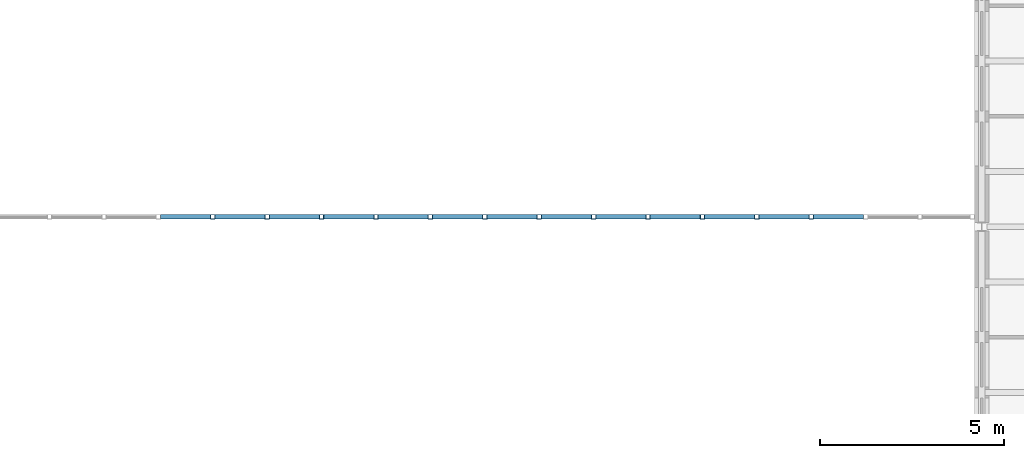
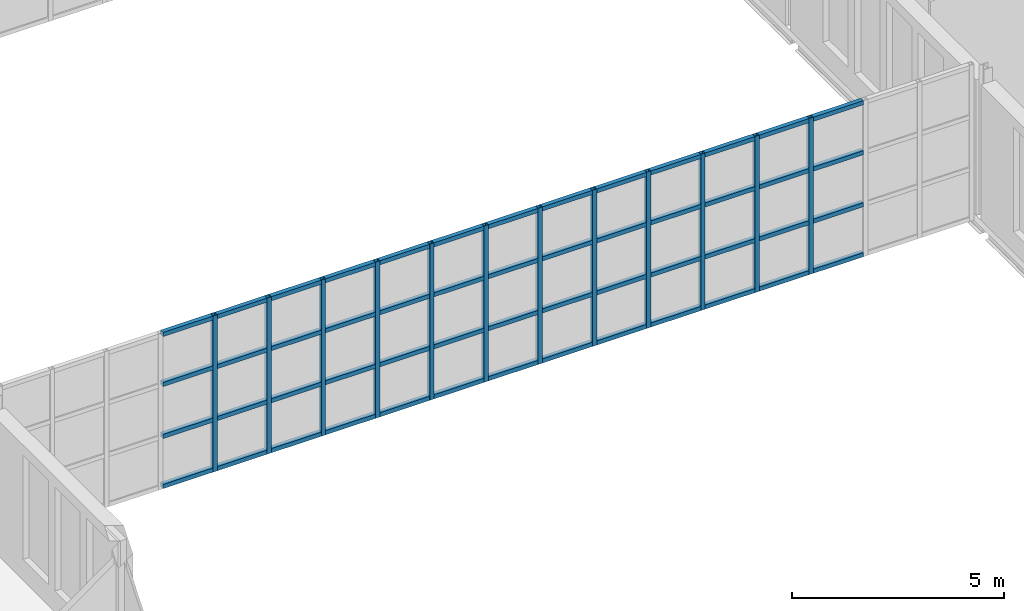
# One storey, part 37 of 131: 64 members, 1 element without a shape of its own.
"""IFC4 building model written with IfcOpenShell, lengths in metres."""

from ifc_helpers import new_model, si_unit, direction, frame, origin, origin_2d, place, context, subcontext, project, spatial, hollow_rectangle, extrude, material, material_profile, profile_set, type_object, element, aggregate, save


model = new_model("IFC4")

# Units and contexts
model_context = context("Model", 3, precision=1e-05, world=origin(), true_north=direction((0.0, 1.0)))
body_context = subcontext(model_context, "Body", "Model", "MODEL_VIEW")
ifc_project = project(units=[si_unit("LENGTHUNIT", "METRE"), si_unit("AREAUNIT", "SQUARE_METRE"), si_unit("VOLUMEUNIT", "CUBIC_METRE"), si_unit("PLANEANGLEUNIT", "RADIAN"), si_unit("MASSUNIT", "GRAM", prefix="KILO")], contexts=[model_context])

# Site, building, storey
site_placement = place(None, origin())
site = spatial("IfcSite", under=ifc_project, at=site_placement, CompositionType="ELEMENT")
building_placement = place(site_placement, origin())
building = spatial("IfcBuilding", under=site, at=building_placement, Name="Golden Quay Civic Hall", CompositionType="ELEMENT")
storey_placement = place(building_placement, frame((0.0, 0.0, 9.89990234375)))
storey = spatial("IfcBuildingStorey", under=building, at=storey_placement, Name="L02", CompositionType="ELEMENT", Elevation=9.89990234375)

# Curtain wall, members
ifc_material_1 = material(Name="Fire-resisting glass and steel", Category="steel")
curtain_wall_type = type_object("IfcCurtainWallType", Name="Fire-resisting glazed curtain wall EI 120", PredefinedType="NOTDEFINED", material=ifc_material_1)
curtain_wall_placement = place(storey_placement, origin())
curtain_wall = element("IfcCurtainWall", 1, at=curtain_wall_placement, inside=storey, type_object=curtain_wall_type, Name="CW3 curtain wall", PredefinedType="NOTDEFINED")
ifc_material_2 = material(Name="Steel S355", Category="steel")
ifc_material_profile_1 = material_profile(ifc_material_2, hollow_rectangle(XDim=0.1201171875, YDim=0.1201171875, WallThickness=0.008056640625, at=origin_2d()), Name="SHS 120x120x8")
ifc_profile_set_1 = profile_set([ifc_material_profile_1], Name="Steel S355")
member_type_1 = type_object("IfcMemberType", Name="Fire-resisting steel mullion SHS 120x120x8", PredefinedType="MULLION", material=ifc_profile_set_1)
member_1_placement = place(storey_placement, frame((78.111083984375, 36.27001953125, -0.199951171875), z_axis=(0.0, 0.0, 1.0), x_axis=(0.0, 1.0, 0.0)))
member_1 = element("IfcMember", 2, at=member_1_placement, type_object=member_type_1, Name="CW3 mullion 5", PredefinedType="MULLION", context=body_context, shape_type="SweptSolid", body=[
    extrude(hollow_rectangle(XDim=0.1201171875, YDim=0.1201171875, WallThickness=0.008056640625, at=origin_2d()), origin(), (0.0, 0.0, 1.0), 4.5),
])
member_2_placement = place(storey_placement, frame((79.5888671875, 36.27001953125, -0.199951171875), z_axis=(0.0, 0.0, 1.0), x_axis=(0.0, 1.0, 0.0)))
member_2 = element("IfcMember", 3, at=member_2_placement, type_object=member_type_1, Name="CW3 mullion 6", PredefinedType="MULLION", context=body_context, shape_type="SweptSolid", body=[
    extrude(hollow_rectangle(XDim=0.1201171875, YDim=0.1201171875, WallThickness=0.008056640625, at=origin_2d()), origin(), (0.0, 0.0, 1.0), 4.5),
])
member_3_placement = place(storey_placement, frame((81.066650390625, 36.27001953125, -0.199951171875), z_axis=(0.0, 0.0, 1.0), x_axis=(0.0, 1.0, 0.0)))
member_3 = element("IfcMember", 4, at=member_3_placement, type_object=member_type_1, Name="CW3 mullion 7", PredefinedType="MULLION", context=body_context, shape_type="SweptSolid", body=[
    extrude(hollow_rectangle(XDim=0.1201171875, YDim=0.1201171875, WallThickness=0.008056640625, at=origin_2d()), origin(), (0.0, 0.0, 1.0), 4.5),
])
member_4_placement = place(storey_placement, frame((82.54443359375, 36.27001953125, -0.199951171875), z_axis=(0.0, 0.0, 1.0), x_axis=(0.0, 1.0, 0.0)))
member_4 = element("IfcMember", 5, at=member_4_placement, type_object=member_type_1, Name="CW3 mullion 8", PredefinedType="MULLION", context=body_context, shape_type="SweptSolid", body=[
    extrude(hollow_rectangle(XDim=0.1201171875, YDim=0.1201171875, WallThickness=0.008056640625, at=origin_2d()), origin(), (0.0, 0.0, 1.0), 4.5),
])
member_5_placement = place(storey_placement, frame((84.022216796875, 36.27001953125, -0.199951171875), z_axis=(0.0, 0.0, 1.0), x_axis=(0.0, 1.0, 0.0)))
member_5 = element("IfcMember", 6, at=member_5_placement, type_object=member_type_1, Name="CW3 mullion 9", PredefinedType="MULLION", context=body_context, shape_type="SweptSolid", body=[
    extrude(hollow_rectangle(XDim=0.1201171875, YDim=0.1201171875, WallThickness=0.008056640625, at=origin_2d()), origin(), (0.0, 0.0, 1.0), 4.5),
])
member_6_placement = place(storey_placement, frame((85.5, 36.27001953125, -0.199951171875), z_axis=(0.0, 0.0, 1.0), x_axis=(0.0, 1.0, 0.0)))
member_6 = element("IfcMember", 7, at=member_6_placement, type_object=member_type_1, Name="CW3 mullion 10", PredefinedType="MULLION", context=body_context, shape_type="SweptSolid", body=[
    extrude(hollow_rectangle(XDim=0.1201171875, YDim=0.1201171875, WallThickness=0.008056640625, at=origin_2d()), origin(), (0.0, 0.0, 1.0), 4.5),
])
member_7_placement = place(storey_placement, frame((86.977783203125, 36.27001953125, -0.199951171875), z_axis=(0.0, 0.0, 1.0), x_axis=(0.0, 1.0, 0.0)))
member_7 = element("IfcMember", 8, at=member_7_placement, type_object=member_type_1, Name="CW3 mullion 11", PredefinedType="MULLION", context=body_context, shape_type="SweptSolid", body=[
    extrude(hollow_rectangle(XDim=0.1201171875, YDim=0.1201171875, WallThickness=0.008056640625, at=origin_2d()), origin(), (0.0, 0.0, 1.0), 4.5),
])
member_8_placement = place(storey_placement, frame((88.45556640625, 36.27001953125, -0.199951171875), z_axis=(0.0, 0.0, 1.0), x_axis=(0.0, 1.0, 0.0)))
member_8 = element("IfcMember", 9, at=member_8_placement, type_object=member_type_1, Name="CW3 mullion 12", PredefinedType="MULLION", context=body_context, shape_type="SweptSolid", body=[
    extrude(hollow_rectangle(XDim=0.1201171875, YDim=0.1201171875, WallThickness=0.008056640625, at=origin_2d()), origin(), (0.0, 0.0, 1.0), 4.5),
])
member_9_placement = place(storey_placement, frame((89.933349609375, 36.27001953125, -0.199951171875), z_axis=(0.0, 0.0, 1.0), x_axis=(0.0, 1.0, 0.0)))
member_9 = element("IfcMember", 10, at=member_9_placement, type_object=member_type_1, Name="CW3 mullion 13", PredefinedType="MULLION", context=body_context, shape_type="SweptSolid", body=[
    extrude(hollow_rectangle(XDim=0.1201171875, YDim=0.1201171875, WallThickness=0.008056640625, at=origin_2d()), origin(), (0.0, 0.0, 1.0), 4.5),
])
member_10_placement = place(storey_placement, frame((91.4111328125, 36.27001953125, -0.199951171875), z_axis=(0.0, 0.0, 1.0), x_axis=(0.0, 1.0, 0.0)))
member_10 = element("IfcMember", 11, at=member_10_placement, type_object=member_type_1, Name="CW3 mullion 14", PredefinedType="MULLION", context=body_context, shape_type="SweptSolid", body=[
    extrude(hollow_rectangle(XDim=0.1201171875, YDim=0.1201171875, WallThickness=0.008056640625, at=origin_2d()), origin(), (0.0, 0.0, 1.0), 4.5),
])
member_11_placement = place(storey_placement, frame((92.888916015625, 36.27001953125, -0.199951171875), z_axis=(0.0, 0.0, 1.0), x_axis=(0.0, 1.0, 0.0)))
member_11 = element("IfcMember", 12, at=member_11_placement, type_object=member_type_1, Name="CW3 mullion 15", PredefinedType="MULLION", context=body_context, shape_type="SweptSolid", body=[
    extrude(hollow_rectangle(XDim=0.1201171875, YDim=0.1201171875, WallThickness=0.008056640625, at=origin_2d()), origin(), (0.0, 0.0, 1.0), 4.5),
])
member_12_placement = place(storey_placement, frame((94.36669921875, 36.27001953125, -0.199951171875), z_axis=(0.0, 0.0, 1.0), x_axis=(0.0, 1.0, 0.0)))
member_12 = element("IfcMember", 13, at=member_12_placement, type_object=member_type_1, Name="CW3 mullion 16", PredefinedType="MULLION", context=body_context, shape_type="SweptSolid", body=[
    extrude(hollow_rectangle(XDim=0.1201171875, YDim=0.1201171875, WallThickness=0.008056640625, at=origin_2d()), origin(), (0.0, 0.0, 1.0), 4.5),
])
ifc_material_3 = material(Name="Steel S355", Category="steel")
ifc_material_profile_2 = material_profile(ifc_material_3, hollow_rectangle(XDim=0.1201171875, YDim=0.1201171875, WallThickness=0.008056640625, at=origin_2d()), Name="SHS 120x120x8")
ifc_profile_set_2 = profile_set([ifc_material_profile_2], Name="Steel S355")
member_type_2 = type_object("IfcMemberType", Name="Fire-resisting steel transom SHS 120x120x8", PredefinedType="USERDEFINED", material=ifc_profile_set_2)
member_13_placement = place(storey_placement, frame((76.693359375, 36.27001953125, -0.139892578125), z_axis=(1.0, 0.0, 0.0), x_axis=(0.0, 1.0, 0.0)))
member_13 = element("IfcMember", 14, at=member_13_placement, type_object=member_type_2, Name="CW3 transom 4.1", ObjectType="TRANSOM", PredefinedType="USERDEFINED", context=body_context, shape_type="SweptSolid", body=[
    extrude(hollow_rectangle(XDim=0.1201171875, YDim=0.1201171875, WallThickness=0.008056640625, at=origin_2d()), origin(), (0.0, 0.0, 1.0), 1.357666015625),
])
member_14_placement = place(storey_placement, frame((76.693359375, 36.27001953125, 1.300048828125), z_axis=(1.0, 0.0, 0.0), x_axis=(0.0, 1.0, 0.0)))
member_14 = element("IfcMember", 15, at=member_14_placement, type_object=member_type_2, Name="CW3 transom 4.2", ObjectType="TRANSOM", PredefinedType="USERDEFINED", context=body_context, shape_type="SweptSolid", body=[
    extrude(hollow_rectangle(XDim=0.1201171875, YDim=0.1201171875, WallThickness=0.008056640625, at=origin_2d()), origin(), (0.0, 0.0, 1.0), 1.357666015625),
])
member_15_placement = place(storey_placement, frame((76.693359375, 36.27001953125, 2.800048828125), z_axis=(1.0, 0.0, 0.0), x_axis=(0.0, 1.0, 0.0)))
member_15 = element("IfcMember", 16, at=member_15_placement, type_object=member_type_2, Name="CW3 transom 4.3", ObjectType="TRANSOM", PredefinedType="USERDEFINED", context=body_context, shape_type="SweptSolid", body=[
    extrude(hollow_rectangle(XDim=0.1201171875, YDim=0.1201171875, WallThickness=0.008056640625, at=origin_2d()), origin(), (0.0, 0.0, 1.0), 1.357666015625),
])
member_16_placement = place(storey_placement, frame((76.693359375, 36.27001953125, 4.239990234375), z_axis=(1.0, 0.0, 0.0), x_axis=(0.0, 1.0, 0.0)))
member_16 = element("IfcMember", 17, at=member_16_placement, type_object=member_type_2, Name="CW3 transom 4.4", ObjectType="TRANSOM", PredefinedType="USERDEFINED", context=body_context, shape_type="SweptSolid", body=[
    extrude(hollow_rectangle(XDim=0.1201171875, YDim=0.1201171875, WallThickness=0.008056640625, at=origin_2d()), origin(), (0.0, 0.0, 1.0), 1.357666015625),
])
member_17_placement = place(storey_placement, frame((78.171142578125, 36.27001953125, -0.139892578125), z_axis=(1.0, 0.0, 0.0), x_axis=(0.0, 1.0, 0.0)))
member_17 = element("IfcMember", 18, at=member_17_placement, type_object=member_type_2, Name="CW3 transom 5.1", ObjectType="TRANSOM", PredefinedType="USERDEFINED", context=body_context, shape_type="SweptSolid", body=[
    extrude(hollow_rectangle(XDim=0.1201171875, YDim=0.1201171875, WallThickness=0.008056640625, at=origin_2d()), origin(), (0.0, 0.0, 1.0), 1.357666015625),
])
member_18_placement = place(storey_placement, frame((78.171142578125, 36.27001953125, 1.300048828125), z_axis=(1.0, 0.0, 0.0), x_axis=(0.0, 1.0, 0.0)))
member_18 = element("IfcMember", 19, at=member_18_placement, type_object=member_type_2, Name="CW3 transom 5.2", ObjectType="TRANSOM", PredefinedType="USERDEFINED", context=body_context, shape_type="SweptSolid", body=[
    extrude(hollow_rectangle(XDim=0.1201171875, YDim=0.1201171875, WallThickness=0.008056640625, at=origin_2d()), origin(), (0.0, 0.0, 1.0), 1.357666015625),
])
member_19_placement = place(storey_placement, frame((78.171142578125, 36.27001953125, 2.800048828125), z_axis=(1.0, 0.0, 0.0), x_axis=(0.0, 1.0, 0.0)))
member_19 = element("IfcMember", 20, at=member_19_placement, type_object=member_type_2, Name="CW3 transom 5.3", ObjectType="TRANSOM", PredefinedType="USERDEFINED", context=body_context, shape_type="SweptSolid", body=[
    extrude(hollow_rectangle(XDim=0.1201171875, YDim=0.1201171875, WallThickness=0.008056640625, at=origin_2d()), origin(), (0.0, 0.0, 1.0), 1.357666015625),
])
member_20_placement = place(storey_placement, frame((78.171142578125, 36.27001953125, 4.239990234375), z_axis=(1.0, 0.0, 0.0), x_axis=(0.0, 1.0, 0.0)))
member_20 = element("IfcMember", 21, at=member_20_placement, type_object=member_type_2, Name="CW3 transom 5.4", ObjectType="TRANSOM", PredefinedType="USERDEFINED", context=body_context, shape_type="SweptSolid", body=[
    extrude(hollow_rectangle(XDim=0.1201171875, YDim=0.1201171875, WallThickness=0.008056640625, at=origin_2d()), origin(), (0.0, 0.0, 1.0), 1.357666015625),
])
member_21_placement = place(storey_placement, frame((79.64892578125, 36.27001953125, -0.139892578125), z_axis=(1.0, 0.0, 0.0), x_axis=(0.0, 1.0, 0.0)))
member_21 = element("IfcMember", 22, at=member_21_placement, type_object=member_type_2, Name="CW3 transom 6.1", ObjectType="TRANSOM", PredefinedType="USERDEFINED", context=body_context, shape_type="SweptSolid", body=[
    extrude(hollow_rectangle(XDim=0.1201171875, YDim=0.1201171875, WallThickness=0.008056640625, at=origin_2d()), origin(), (0.0, 0.0, 1.0), 1.357666015625),
])
member_22_placement = place(storey_placement, frame((79.64892578125, 36.27001953125, 1.300048828125), z_axis=(1.0, 0.0, 0.0), x_axis=(0.0, 1.0, 0.0)))
member_22 = element("IfcMember", 23, at=member_22_placement, type_object=member_type_2, Name="CW3 transom 6.2", ObjectType="TRANSOM", PredefinedType="USERDEFINED", context=body_context, shape_type="SweptSolid", body=[
    extrude(hollow_rectangle(XDim=0.1201171875, YDim=0.1201171875, WallThickness=0.008056640625, at=origin_2d()), origin(), (0.0, 0.0, 1.0), 1.357666015625),
])
member_23_placement = place(storey_placement, frame((79.64892578125, 36.27001953125, 2.800048828125), z_axis=(1.0, 0.0, 0.0), x_axis=(0.0, 1.0, 0.0)))
member_23 = element("IfcMember", 24, at=member_23_placement, type_object=member_type_2, Name="CW3 transom 6.3", ObjectType="TRANSOM", PredefinedType="USERDEFINED", context=body_context, shape_type="SweptSolid", body=[
    extrude(hollow_rectangle(XDim=0.1201171875, YDim=0.1201171875, WallThickness=0.008056640625, at=origin_2d()), origin(), (0.0, 0.0, 1.0), 1.357666015625),
])
member_24_placement = place(storey_placement, frame((79.64892578125, 36.27001953125, 4.239990234375), z_axis=(1.0, 0.0, 0.0), x_axis=(0.0, 1.0, 0.0)))
member_24 = element("IfcMember", 25, at=member_24_placement, type_object=member_type_2, Name="CW3 transom 6.4", ObjectType="TRANSOM", PredefinedType="USERDEFINED", context=body_context, shape_type="SweptSolid", body=[
    extrude(hollow_rectangle(XDim=0.1201171875, YDim=0.1201171875, WallThickness=0.008056640625, at=origin_2d()), origin(), (0.0, 0.0, 1.0), 1.357666015625),
])
member_25_placement = place(storey_placement, frame((81.126708984375, 36.27001953125, -0.139892578125), z_axis=(1.0, 0.0, 0.0), x_axis=(0.0, 1.0, 0.0)))
member_25 = element("IfcMember", 26, at=member_25_placement, type_object=member_type_2, Name="CW3 transom 7.1", ObjectType="TRANSOM", PredefinedType="USERDEFINED", context=body_context, shape_type="SweptSolid", body=[
    extrude(hollow_rectangle(XDim=0.1201171875, YDim=0.1201171875, WallThickness=0.008056640625, at=origin_2d()), origin(), (0.0, 0.0, 1.0), 1.357666015625),
])
member_26_placement = place(storey_placement, frame((81.126708984375, 36.27001953125, 1.300048828125), z_axis=(1.0, 0.0, 0.0), x_axis=(0.0, 1.0, 0.0)))
member_26 = element("IfcMember", 27, at=member_26_placement, type_object=member_type_2, Name="CW3 transom 7.2", ObjectType="TRANSOM", PredefinedType="USERDEFINED", context=body_context, shape_type="SweptSolid", body=[
    extrude(hollow_rectangle(XDim=0.1201171875, YDim=0.1201171875, WallThickness=0.008056640625, at=origin_2d()), origin(), (0.0, 0.0, 1.0), 1.357666015625),
])
member_27_placement = place(storey_placement, frame((81.126708984375, 36.27001953125, 2.800048828125), z_axis=(1.0, 0.0, 0.0), x_axis=(0.0, 1.0, 0.0)))
member_27 = element("IfcMember", 28, at=member_27_placement, type_object=member_type_2, Name="CW3 transom 7.3", ObjectType="TRANSOM", PredefinedType="USERDEFINED", context=body_context, shape_type="SweptSolid", body=[
    extrude(hollow_rectangle(XDim=0.1201171875, YDim=0.1201171875, WallThickness=0.008056640625, at=origin_2d()), origin(), (0.0, 0.0, 1.0), 1.357666015625),
])
member_28_placement = place(storey_placement, frame((81.126708984375, 36.27001953125, 4.239990234375), z_axis=(1.0, 0.0, 0.0), x_axis=(0.0, 1.0, 0.0)))
member_28 = element("IfcMember", 29, at=member_28_placement, type_object=member_type_2, Name="CW3 transom 7.4", ObjectType="TRANSOM", PredefinedType="USERDEFINED", context=body_context, shape_type="SweptSolid", body=[
    extrude(hollow_rectangle(XDim=0.1201171875, YDim=0.1201171875, WallThickness=0.008056640625, at=origin_2d()), origin(), (0.0, 0.0, 1.0), 1.357666015625),
])
member_29_placement = place(storey_placement, frame((82.6044921875, 36.27001953125, -0.139892578125), z_axis=(1.0, 0.0, 0.0), x_axis=(0.0, 1.0, 0.0)))
member_29 = element("IfcMember", 30, at=member_29_placement, type_object=member_type_2, Name="CW3 transom 8.1", ObjectType="TRANSOM", PredefinedType="USERDEFINED", context=body_context, shape_type="SweptSolid", body=[
    extrude(hollow_rectangle(XDim=0.1201171875, YDim=0.1201171875, WallThickness=0.008056640625, at=origin_2d()), origin(), (0.0, 0.0, 1.0), 1.357666015625),
])
member_30_placement = place(storey_placement, frame((82.6044921875, 36.27001953125, 1.300048828125), z_axis=(1.0, 0.0, 0.0), x_axis=(0.0, 1.0, 0.0)))
member_30 = element("IfcMember", 31, at=member_30_placement, type_object=member_type_2, Name="CW3 transom 8.2", ObjectType="TRANSOM", PredefinedType="USERDEFINED", context=body_context, shape_type="SweptSolid", body=[
    extrude(hollow_rectangle(XDim=0.1201171875, YDim=0.1201171875, WallThickness=0.008056640625, at=origin_2d()), origin(), (0.0, 0.0, 1.0), 1.357666015625),
])
member_31_placement = place(storey_placement, frame((82.6044921875, 36.27001953125, 2.800048828125), z_axis=(1.0, 0.0, 0.0), x_axis=(0.0, 1.0, 0.0)))
member_31 = element("IfcMember", 32, at=member_31_placement, type_object=member_type_2, Name="CW3 transom 8.3", ObjectType="TRANSOM", PredefinedType="USERDEFINED", context=body_context, shape_type="SweptSolid", body=[
    extrude(hollow_rectangle(XDim=0.1201171875, YDim=0.1201171875, WallThickness=0.008056640625, at=origin_2d()), origin(), (0.0, 0.0, 1.0), 1.357666015625),
])
member_32_placement = place(storey_placement, frame((82.6044921875, 36.27001953125, 4.239990234375), z_axis=(1.0, 0.0, 0.0), x_axis=(0.0, 1.0, 0.0)))
member_32 = element("IfcMember", 33, at=member_32_placement, type_object=member_type_2, Name="CW3 transom 8.4", ObjectType="TRANSOM", PredefinedType="USERDEFINED", context=body_context, shape_type="SweptSolid", body=[
    extrude(hollow_rectangle(XDim=0.1201171875, YDim=0.1201171875, WallThickness=0.008056640625, at=origin_2d()), origin(), (0.0, 0.0, 1.0), 1.357666015625),
])
member_33_placement = place(storey_placement, frame((84.082275390625, 36.27001953125, -0.139892578125), z_axis=(1.0, 0.0, 0.0), x_axis=(0.0, 1.0, 0.0)))
member_33 = element("IfcMember", 34, at=member_33_placement, type_object=member_type_2, Name="CW3 transom 9.1", ObjectType="TRANSOM", PredefinedType="USERDEFINED", context=body_context, shape_type="SweptSolid", body=[
    extrude(hollow_rectangle(XDim=0.1201171875, YDim=0.1201171875, WallThickness=0.008056640625, at=origin_2d()), origin(), (0.0, 0.0, 1.0), 1.357666015625),
])
member_34_placement = place(storey_placement, frame((84.082275390625, 36.27001953125, 1.300048828125), z_axis=(1.0, 0.0, 0.0), x_axis=(0.0, 1.0, 0.0)))
member_34 = element("IfcMember", 35, at=member_34_placement, type_object=member_type_2, Name="CW3 transom 9.2", ObjectType="TRANSOM", PredefinedType="USERDEFINED", context=body_context, shape_type="SweptSolid", body=[
    extrude(hollow_rectangle(XDim=0.1201171875, YDim=0.1201171875, WallThickness=0.008056640625, at=origin_2d()), origin(), (0.0, 0.0, 1.0), 1.357666015625),
])
member_35_placement = place(storey_placement, frame((84.082275390625, 36.27001953125, 2.800048828125), z_axis=(1.0, 0.0, 0.0), x_axis=(0.0, 1.0, 0.0)))
member_35 = element("IfcMember", 36, at=member_35_placement, type_object=member_type_2, Name="CW3 transom 9.3", ObjectType="TRANSOM", PredefinedType="USERDEFINED", context=body_context, shape_type="SweptSolid", body=[
    extrude(hollow_rectangle(XDim=0.1201171875, YDim=0.1201171875, WallThickness=0.008056640625, at=origin_2d()), origin(), (0.0, 0.0, 1.0), 1.357666015625),
])
member_36_placement = place(storey_placement, frame((84.082275390625, 36.27001953125, 4.239990234375), z_axis=(1.0, 0.0, 0.0), x_axis=(0.0, 1.0, 0.0)))
member_36 = element("IfcMember", 37, at=member_36_placement, type_object=member_type_2, Name="CW3 transom 9.4", ObjectType="TRANSOM", PredefinedType="USERDEFINED", context=body_context, shape_type="SweptSolid", body=[
    extrude(hollow_rectangle(XDim=0.1201171875, YDim=0.1201171875, WallThickness=0.008056640625, at=origin_2d()), origin(), (0.0, 0.0, 1.0), 1.357666015625),
])
member_37_placement = place(storey_placement, frame((85.56005859375, 36.27001953125, -0.139892578125), z_axis=(1.0, 0.0, 0.0), x_axis=(0.0, 1.0, 0.0)))
member_37 = element("IfcMember", 38, at=member_37_placement, type_object=member_type_2, Name="CW3 transom 10.1", ObjectType="TRANSOM", PredefinedType="USERDEFINED", context=body_context, shape_type="SweptSolid", body=[
    extrude(hollow_rectangle(XDim=0.1201171875, YDim=0.1201171875, WallThickness=0.008056640625, at=origin_2d()), origin(), (0.0, 0.0, 1.0), 1.357666015625),
])
member_38_placement = place(storey_placement, frame((85.56005859375, 36.27001953125, 1.300048828125), z_axis=(1.0, 0.0, 0.0), x_axis=(0.0, 1.0, 0.0)))
member_38 = element("IfcMember", 39, at=member_38_placement, type_object=member_type_2, Name="CW3 transom 10.2", ObjectType="TRANSOM", PredefinedType="USERDEFINED", context=body_context, shape_type="SweptSolid", body=[
    extrude(hollow_rectangle(XDim=0.1201171875, YDim=0.1201171875, WallThickness=0.008056640625, at=origin_2d()), origin(), (0.0, 0.0, 1.0), 1.357666015625),
])
member_39_placement = place(storey_placement, frame((85.56005859375, 36.27001953125, 2.800048828125), z_axis=(1.0, 0.0, 0.0), x_axis=(0.0, 1.0, 0.0)))
member_39 = element("IfcMember", 40, at=member_39_placement, type_object=member_type_2, Name="CW3 transom 10.3", ObjectType="TRANSOM", PredefinedType="USERDEFINED", context=body_context, shape_type="SweptSolid", body=[
    extrude(hollow_rectangle(XDim=0.1201171875, YDim=0.1201171875, WallThickness=0.008056640625, at=origin_2d()), origin(), (0.0, 0.0, 1.0), 1.357666015625),
])
member_40_placement = place(storey_placement, frame((85.56005859375, 36.27001953125, 4.239990234375), z_axis=(1.0, 0.0, 0.0), x_axis=(0.0, 1.0, 0.0)))
member_40 = element("IfcMember", 41, at=member_40_placement, type_object=member_type_2, Name="CW3 transom 10.4", ObjectType="TRANSOM", PredefinedType="USERDEFINED", context=body_context, shape_type="SweptSolid", body=[
    extrude(hollow_rectangle(XDim=0.1201171875, YDim=0.1201171875, WallThickness=0.008056640625, at=origin_2d()), origin(), (0.0, 0.0, 1.0), 1.357666015625),
])
member_41_placement = place(storey_placement, frame((87.037841796875, 36.27001953125, -0.139892578125), z_axis=(1.0, 0.0, 0.0), x_axis=(0.0, 1.0, 0.0)))
member_41 = element("IfcMember", 42, at=member_41_placement, type_object=member_type_2, Name="CW3 transom 11.1", ObjectType="TRANSOM", PredefinedType="USERDEFINED", context=body_context, shape_type="SweptSolid", body=[
    extrude(hollow_rectangle(XDim=0.1201171875, YDim=0.1201171875, WallThickness=0.008056640625, at=origin_2d()), origin(), (0.0, 0.0, 1.0), 1.357666015625),
])
member_42_placement = place(storey_placement, frame((87.037841796875, 36.27001953125, 1.300048828125), z_axis=(1.0, 0.0, 0.0), x_axis=(0.0, 1.0, 0.0)))
member_42 = element("IfcMember", 43, at=member_42_placement, type_object=member_type_2, Name="CW3 transom 11.2", ObjectType="TRANSOM", PredefinedType="USERDEFINED", context=body_context, shape_type="SweptSolid", body=[
    extrude(hollow_rectangle(XDim=0.1201171875, YDim=0.1201171875, WallThickness=0.008056640625, at=origin_2d()), origin(), (0.0, 0.0, 1.0), 1.357666015625),
])
member_43_placement = place(storey_placement, frame((87.037841796875, 36.27001953125, 2.800048828125), z_axis=(1.0, 0.0, 0.0), x_axis=(0.0, 1.0, 0.0)))
member_43 = element("IfcMember", 44, at=member_43_placement, type_object=member_type_2, Name="CW3 transom 11.3", ObjectType="TRANSOM", PredefinedType="USERDEFINED", context=body_context, shape_type="SweptSolid", body=[
    extrude(hollow_rectangle(XDim=0.1201171875, YDim=0.1201171875, WallThickness=0.008056640625, at=origin_2d()), origin(), (0.0, 0.0, 1.0), 1.357666015625),
])
member_44_placement = place(storey_placement, frame((87.037841796875, 36.27001953125, 4.239990234375), z_axis=(1.0, 0.0, 0.0), x_axis=(0.0, 1.0, 0.0)))
member_44 = element("IfcMember", 45, at=member_44_placement, type_object=member_type_2, Name="CW3 transom 11.4", ObjectType="TRANSOM", PredefinedType="USERDEFINED", context=body_context, shape_type="SweptSolid", body=[
    extrude(hollow_rectangle(XDim=0.1201171875, YDim=0.1201171875, WallThickness=0.008056640625, at=origin_2d()), origin(), (0.0, 0.0, 1.0), 1.357666015625),
])
member_45_placement = place(storey_placement, frame((88.515625, 36.27001953125, -0.139892578125), z_axis=(1.0, 0.0, 0.0), x_axis=(0.0, 1.0, 0.0)))
member_45 = element("IfcMember", 46, at=member_45_placement, type_object=member_type_2, Name="CW3 transom 12.1", ObjectType="TRANSOM", PredefinedType="USERDEFINED", context=body_context, shape_type="SweptSolid", body=[
    extrude(hollow_rectangle(XDim=0.1201171875, YDim=0.1201171875, WallThickness=0.008056640625, at=origin_2d()), origin(), (0.0, 0.0, 1.0), 1.357666015625),
])
member_46_placement = place(storey_placement, frame((88.515625, 36.27001953125, 1.300048828125), z_axis=(1.0, 0.0, 0.0), x_axis=(0.0, 1.0, 0.0)))
member_46 = element("IfcMember", 47, at=member_46_placement, type_object=member_type_2, Name="CW3 transom 12.2", ObjectType="TRANSOM", PredefinedType="USERDEFINED", context=body_context, shape_type="SweptSolid", body=[
    extrude(hollow_rectangle(XDim=0.1201171875, YDim=0.1201171875, WallThickness=0.008056640625, at=origin_2d()), origin(), (0.0, 0.0, 1.0), 1.357666015625),
])
member_47_placement = place(storey_placement, frame((88.515625, 36.27001953125, 2.800048828125), z_axis=(1.0, 0.0, 0.0), x_axis=(0.0, 1.0, 0.0)))
member_47 = element("IfcMember", 48, at=member_47_placement, type_object=member_type_2, Name="CW3 transom 12.3", ObjectType="TRANSOM", PredefinedType="USERDEFINED", context=body_context, shape_type="SweptSolid", body=[
    extrude(hollow_rectangle(XDim=0.1201171875, YDim=0.1201171875, WallThickness=0.008056640625, at=origin_2d()), origin(), (0.0, 0.0, 1.0), 1.357666015625),
])
member_48_placement = place(storey_placement, frame((88.515625, 36.27001953125, 4.239990234375), z_axis=(1.0, 0.0, 0.0), x_axis=(0.0, 1.0, 0.0)))
member_48 = element("IfcMember", 49, at=member_48_placement, type_object=member_type_2, Name="CW3 transom 12.4", ObjectType="TRANSOM", PredefinedType="USERDEFINED", context=body_context, shape_type="SweptSolid", body=[
    extrude(hollow_rectangle(XDim=0.1201171875, YDim=0.1201171875, WallThickness=0.008056640625, at=origin_2d()), origin(), (0.0, 0.0, 1.0), 1.357666015625),
])
member_49_placement = place(storey_placement, frame((89.993408203125, 36.27001953125, -0.139892578125), z_axis=(1.0, 0.0, 0.0), x_axis=(0.0, 1.0, 0.0)))
member_49 = element("IfcMember", 50, at=member_49_placement, type_object=member_type_2, Name="CW3 transom 13.1", ObjectType="TRANSOM", PredefinedType="USERDEFINED", context=body_context, shape_type="SweptSolid", body=[
    extrude(hollow_rectangle(XDim=0.1201171875, YDim=0.1201171875, WallThickness=0.008056640625, at=origin_2d()), origin(), (0.0, 0.0, 1.0), 1.357666015625),
])
member_50_placement = place(storey_placement, frame((89.993408203125, 36.27001953125, 1.300048828125), z_axis=(1.0, 0.0, 0.0), x_axis=(0.0, 1.0, 0.0)))
member_50 = element("IfcMember", 51, at=member_50_placement, type_object=member_type_2, Name="CW3 transom 13.2", ObjectType="TRANSOM", PredefinedType="USERDEFINED", context=body_context, shape_type="SweptSolid", body=[
    extrude(hollow_rectangle(XDim=0.1201171875, YDim=0.1201171875, WallThickness=0.008056640625, at=origin_2d()), origin(), (0.0, 0.0, 1.0), 1.357666015625),
])
member_51_placement = place(storey_placement, frame((89.993408203125, 36.27001953125, 2.800048828125), z_axis=(1.0, 0.0, 0.0), x_axis=(0.0, 1.0, 0.0)))
member_51 = element("IfcMember", 52, at=member_51_placement, type_object=member_type_2, Name="CW3 transom 13.3", ObjectType="TRANSOM", PredefinedType="USERDEFINED", context=body_context, shape_type="SweptSolid", body=[
    extrude(hollow_rectangle(XDim=0.1201171875, YDim=0.1201171875, WallThickness=0.008056640625, at=origin_2d()), origin(), (0.0, 0.0, 1.0), 1.357666015625),
])
member_52_placement = place(storey_placement, frame((89.993408203125, 36.27001953125, 4.239990234375), z_axis=(1.0, 0.0, 0.0), x_axis=(0.0, 1.0, 0.0)))
member_52 = element("IfcMember", 53, at=member_52_placement, type_object=member_type_2, Name="CW3 transom 13.4", ObjectType="TRANSOM", PredefinedType="USERDEFINED", context=body_context, shape_type="SweptSolid", body=[
    extrude(hollow_rectangle(XDim=0.1201171875, YDim=0.1201171875, WallThickness=0.008056640625, at=origin_2d()), origin(), (0.0, 0.0, 1.0), 1.357666015625),
])
member_53_placement = place(storey_placement, frame((91.47119140625, 36.27001953125, -0.139892578125), z_axis=(1.0, 0.0, 0.0), x_axis=(0.0, 1.0, 0.0)))
member_53 = element("IfcMember", 54, at=member_53_placement, type_object=member_type_2, Name="CW3 transom 14.1", ObjectType="TRANSOM", PredefinedType="USERDEFINED", context=body_context, shape_type="SweptSolid", body=[
    extrude(hollow_rectangle(XDim=0.1201171875, YDim=0.1201171875, WallThickness=0.008056640625, at=origin_2d()), origin(), (0.0, 0.0, 1.0), 1.357666015625),
])
member_54_placement = place(storey_placement, frame((91.47119140625, 36.27001953125, 1.300048828125), z_axis=(1.0, 0.0, 0.0), x_axis=(0.0, 1.0, 0.0)))
member_54 = element("IfcMember", 55, at=member_54_placement, type_object=member_type_2, Name="CW3 transom 14.2", ObjectType="TRANSOM", PredefinedType="USERDEFINED", context=body_context, shape_type="SweptSolid", body=[
    extrude(hollow_rectangle(XDim=0.1201171875, YDim=0.1201171875, WallThickness=0.008056640625, at=origin_2d()), origin(), (0.0, 0.0, 1.0), 1.357666015625),
])
member_55_placement = place(storey_placement, frame((91.47119140625, 36.27001953125, 2.800048828125), z_axis=(1.0, 0.0, 0.0), x_axis=(0.0, 1.0, 0.0)))
member_55 = element("IfcMember", 56, at=member_55_placement, type_object=member_type_2, Name="CW3 transom 14.3", ObjectType="TRANSOM", PredefinedType="USERDEFINED", context=body_context, shape_type="SweptSolid", body=[
    extrude(hollow_rectangle(XDim=0.1201171875, YDim=0.1201171875, WallThickness=0.008056640625, at=origin_2d()), origin(), (0.0, 0.0, 1.0), 1.357666015625),
])
member_56_placement = place(storey_placement, frame((91.47119140625, 36.27001953125, 4.239990234375), z_axis=(1.0, 0.0, 0.0), x_axis=(0.0, 1.0, 0.0)))
member_56 = element("IfcMember", 57, at=member_56_placement, type_object=member_type_2, Name="CW3 transom 14.4", ObjectType="TRANSOM", PredefinedType="USERDEFINED", context=body_context, shape_type="SweptSolid", body=[
    extrude(hollow_rectangle(XDim=0.1201171875, YDim=0.1201171875, WallThickness=0.008056640625, at=origin_2d()), origin(), (0.0, 0.0, 1.0), 1.357666015625),
])
member_57_placement = place(storey_placement, frame((92.948974609375, 36.27001953125, -0.139892578125), z_axis=(1.0, 0.0, 0.0), x_axis=(0.0, 1.0, 0.0)))
member_57 = element("IfcMember", 58, at=member_57_placement, type_object=member_type_2, Name="CW3 transom 15.1", ObjectType="TRANSOM", PredefinedType="USERDEFINED", context=body_context, shape_type="SweptSolid", body=[
    extrude(hollow_rectangle(XDim=0.1201171875, YDim=0.1201171875, WallThickness=0.008056640625, at=origin_2d()), origin(), (0.0, 0.0, 1.0), 1.357666015625),
])
member_58_placement = place(storey_placement, frame((92.948974609375, 36.27001953125, 1.300048828125), z_axis=(1.0, 0.0, 0.0), x_axis=(0.0, 1.0, 0.0)))
member_58 = element("IfcMember", 59, at=member_58_placement, type_object=member_type_2, Name="CW3 transom 15.2", ObjectType="TRANSOM", PredefinedType="USERDEFINED", context=body_context, shape_type="SweptSolid", body=[
    extrude(hollow_rectangle(XDim=0.1201171875, YDim=0.1201171875, WallThickness=0.008056640625, at=origin_2d()), origin(), (0.0, 0.0, 1.0), 1.357666015625),
])
member_59_placement = place(storey_placement, frame((92.948974609375, 36.27001953125, 2.800048828125), z_axis=(1.0, 0.0, 0.0), x_axis=(0.0, 1.0, 0.0)))
member_59 = element("IfcMember", 60, at=member_59_placement, type_object=member_type_2, Name="CW3 transom 15.3", ObjectType="TRANSOM", PredefinedType="USERDEFINED", context=body_context, shape_type="SweptSolid", body=[
    extrude(hollow_rectangle(XDim=0.1201171875, YDim=0.1201171875, WallThickness=0.008056640625, at=origin_2d()), origin(), (0.0, 0.0, 1.0), 1.357666015625),
])
member_60_placement = place(storey_placement, frame((92.948974609375, 36.27001953125, 4.239990234375), z_axis=(1.0, 0.0, 0.0), x_axis=(0.0, 1.0, 0.0)))
member_60 = element("IfcMember", 61, at=member_60_placement, type_object=member_type_2, Name="CW3 transom 15.4", ObjectType="TRANSOM", PredefinedType="USERDEFINED", context=body_context, shape_type="SweptSolid", body=[
    extrude(hollow_rectangle(XDim=0.1201171875, YDim=0.1201171875, WallThickness=0.008056640625, at=origin_2d()), origin(), (0.0, 0.0, 1.0), 1.357666015625),
])
member_61_placement = place(storey_placement, frame((94.4267578125, 36.27001953125, -0.139892578125), z_axis=(1.0, 0.0, 0.0), x_axis=(0.0, 1.0, 0.0)))
member_61 = element("IfcMember", 62, at=member_61_placement, type_object=member_type_2, Name="CW3 transom 16.1", ObjectType="TRANSOM", PredefinedType="USERDEFINED", context=body_context, shape_type="SweptSolid", body=[
    extrude(hollow_rectangle(XDim=0.1201171875, YDim=0.1201171875, WallThickness=0.008056640625, at=origin_2d()), origin(), (0.0, 0.0, 1.0), 1.357666015625),
])
member_62_placement = place(storey_placement, frame((94.4267578125, 36.27001953125, 1.300048828125), z_axis=(1.0, 0.0, 0.0), x_axis=(0.0, 1.0, 0.0)))
member_62 = element("IfcMember", 63, at=member_62_placement, type_object=member_type_2, Name="CW3 transom 16.2", ObjectType="TRANSOM", PredefinedType="USERDEFINED", context=body_context, shape_type="SweptSolid", body=[
    extrude(hollow_rectangle(XDim=0.1201171875, YDim=0.1201171875, WallThickness=0.008056640625, at=origin_2d()), origin(), (0.0, 0.0, 1.0), 1.357666015625),
])
member_63_placement = place(storey_placement, frame((94.4267578125, 36.27001953125, 2.800048828125), z_axis=(1.0, 0.0, 0.0), x_axis=(0.0, 1.0, 0.0)))
member_63 = element("IfcMember", 64, at=member_63_placement, type_object=member_type_2, Name="CW3 transom 16.3", ObjectType="TRANSOM", PredefinedType="USERDEFINED", context=body_context, shape_type="SweptSolid", body=[
    extrude(hollow_rectangle(XDim=0.1201171875, YDim=0.1201171875, WallThickness=0.008056640625, at=origin_2d()), origin(), (0.0, 0.0, 1.0), 1.357666015625),
])
member_64_placement = place(storey_placement, frame((94.4267578125, 36.27001953125, 4.239990234375), z_axis=(1.0, 0.0, 0.0), x_axis=(0.0, 1.0, 0.0)))
member_64 = element("IfcMember", 65, at=member_64_placement, type_object=member_type_2, Name="CW3 transom 16.4", ObjectType="TRANSOM", PredefinedType="USERDEFINED", context=body_context, shape_type="SweptSolid", body=[
    extrude(hollow_rectangle(XDim=0.1201171875, YDim=0.1201171875, WallThickness=0.008056640625, at=origin_2d()), origin(), (0.0, 0.0, 1.0), 1.357666015625),
])
aggregate(curtain_wall, [member_1, member_2, member_3, member_4, member_5, member_6, member_7, member_8, member_9, member_10, member_11, member_12, member_13, member_14, member_15, member_16, member_17, member_18, member_19, member_20, member_21, member_22, member_23, member_24, member_25, member_26, member_27, member_28, member_29, member_30, member_31, member_32, member_33, member_34, member_35, member_36, member_37, member_38, member_39, member_40, member_41, member_42, member_43, member_44, member_45, member_46, member_47, member_48, member_49, member_50, member_51, member_52, member_53, member_54, member_55, member_56, member_57, member_58, member_59, member_60, member_61, member_62, member_63, member_64])

save(model, "model.ifc")
